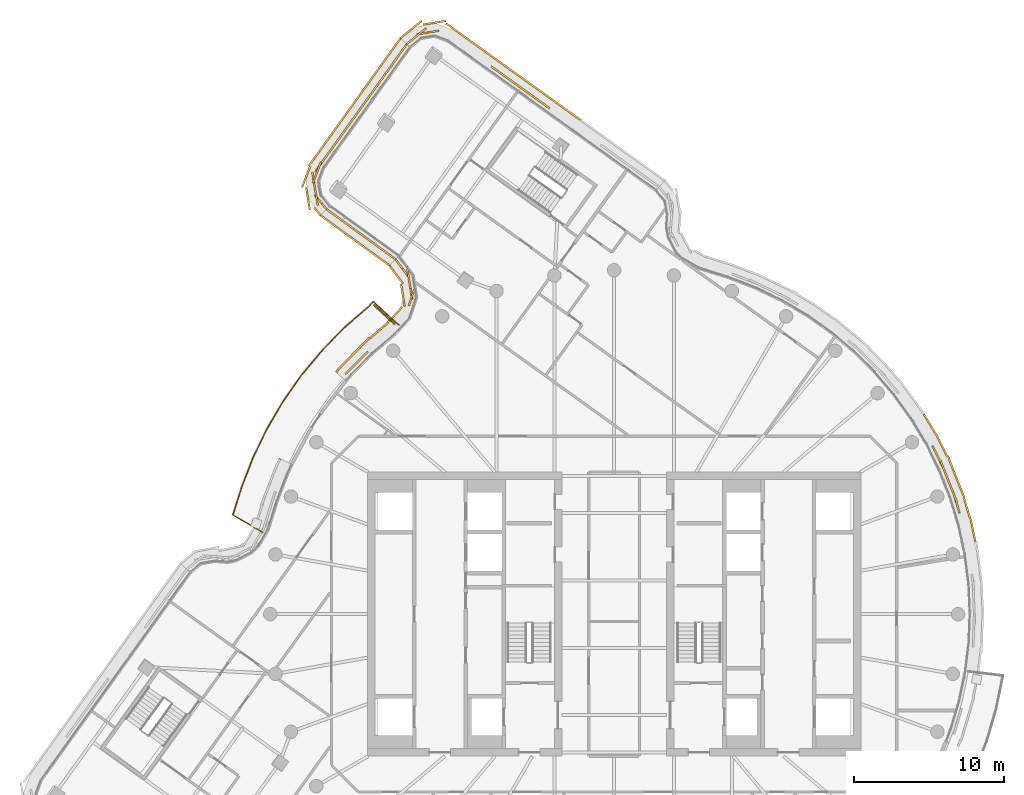
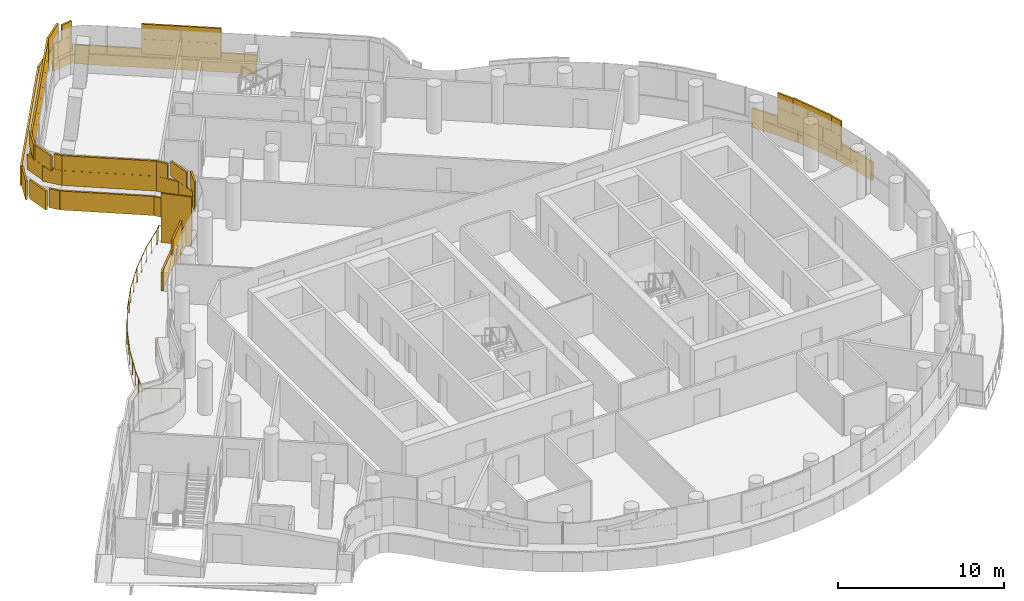
# One storey, part 25 of 27: 5 coverings, 1 railing, 1 shading device.
"""IFC4 building model written with IfcOpenShell, lengths in metres."""

from ifc_helpers import new_model, si_unit, direction, frame, origin, origin_2d, place, context, subcontext, project, spatial, rectangle, circle, extrude, material, layer, layer_set, type_object, element, save


model = new_model("IFC4")

# Units and contexts
model_context = context("Model", 3, precision=1e-05, world=origin(), true_north=direction((0.0, 1.0)))
body_context = subcontext(model_context, "Body", "Model", "MODEL_VIEW")
ifc_project = project(units=[si_unit("LENGTHUNIT", "METRE"), si_unit("AREAUNIT", "SQUARE_METRE"), si_unit("VOLUMEUNIT", "CUBIC_METRE"), si_unit("PLANEANGLEUNIT", "RADIAN"), si_unit("MASSUNIT", "GRAM", prefix="KILO")], contexts=[model_context])

# Site, building, storey
site_placement = place(None, origin())
site = spatial("IfcSite", under=ifc_project, at=site_placement, CompositionType="ELEMENT")
building_placement = place(site_placement, origin())
building = spatial("IfcBuilding", under=site, at=building_placement, Name="Tamarind Cross Interchange Tower", CompositionType="ELEMENT")
storey_placement = place(building_placement, frame((0.0, 0.0, 230.699951171875)))
storey = spatial("IfcBuildingStorey", under=building, at=storey_placement, Name="L58", CompositionType="ELEMENT", Elevation=230.699951171875)

# Railing
ifc_material_1 = material(Name="Stainless steel and laminated glass", Category="steel")
railing_type = type_object("IfcRailingType", Name="Balcony guard", PredefinedType="BALUSTRADE", material=ifc_material_1)
railing_placement = place(storey_placement, frame((-14.4013671875, 19.325927734375, 0.0)))
element("IfcRailing", 1, at=railing_placement, inside=storey, type_object=railing_type, Name="Balcony guard 06", PredefinedType="BALUSTRADE", context=body_context, shape_type="SweptSolid", body=[
    extrude(circle(Radius=0.02490234375, at=origin_2d()), frame((0.0, 0.0, 1.0751953125), z_axis=(-0.734795376104, 0.678288843529, 0.0), x_axis=(-0.678288843529, -0.734795376104, 0.0)), (0.0, 0.0, 1.0), 2.320068359375),
    extrude(circle(Radius=0.02490234375, at=origin_2d()), frame((-1.704833984375, 1.57373046875, 1.0751953125), z_axis=(-0.678301236928, -0.734783935577, 0.0), x_axis=(0.734783935577, -0.678301236928, 0.0)), (0.0, 0.0, 1.0), 0.479736328125),
    extrude(circle(Radius=0.02490234375, at=origin_2d()), frame((-2.0302734375, 1.22119140625, 1.0751953125), z_axis=(-0.760267579696, -0.649610042459, 0.0), x_axis=(0.649610042459, -0.760267579696, 0.0)), (0.0, 0.0, 1.0), 1.94140625),
    extrude(circle(Radius=0.02490234375, at=origin_2d()), frame((-3.50634765625, -0.0400390625, 1.0751953125), z_axis=(-0.704069857635, -0.710130717242, 0.0), x_axis=(0.710130717242, -0.704069857635, 0.0)), (0.0, 0.0, 1.0), 2.17529296875),
    extrude(circle(Radius=0.02490234375, at=origin_2d()), frame((-5.037841796875, -1.584716796875, 1.0751953125), z_axis=(-0.642984125922, -0.765879503455, 0.0), x_axis=(0.765879503455, -0.642984125922, 0.0)), (0.0, 0.0, 1.0), 2.17529296875),
    extrude(circle(Radius=0.02490234375, at=origin_2d()), frame((-6.4365234375, -3.250732421875, 1.0751953125), z_axis=(-0.577590617379, -0.81632657602, 0.0), x_axis=(0.81632657602, -0.577590617379, 0.0)), (0.0, 0.0, 1.0), 2.175048828125),
    extrude(circle(Radius=0.02490234375, at=origin_2d()), frame((-7.69287109375, -5.0263671875, 1.0751953125), z_axis=(-0.508226290333, -0.861223570169, 0.0), x_axis=(0.861223570169, -0.508226290333, 0.0)), (0.0, 0.0, 1.0), 2.175048828125),
    extrude(circle(Radius=0.02490234375, at=origin_2d()), frame((-8.79833984375, -6.899658203125, 1.0751953125), z_axis=(-0.435276325285, -0.90029690694, 0.0), x_axis=(0.90029690694, -0.435276325285, 0.0)), (0.0, 0.0, 1.0), 2.175048828125),
    extrude(circle(Radius=0.02490234375, at=origin_2d()), frame((-9.7451171875, -8.85791015625, 1.0751953125), z_axis=(-0.359533651583, -0.933132120002, 0.0), x_axis=(0.933132120002, -0.359533651583, 0.0)), (0.0, 0.0, 1.0), 2.1533203125),
    extrude(circle(Radius=0.02490234375, at=origin_2d()), frame((-10.519287109375, -10.8671875, 1.0751953125), z_axis=(-0.299373091603, -0.954136128665, 0.0), x_axis=(0.954136128665, -0.299373091603, 0.0)), (0.0, 0.0, 1.0), 1.847900390625),
    extrude(circle(Radius=0.02490234375, at=origin_2d()), frame((-11.072509765625, -12.63037109375, 1.0751953125), z_axis=(-0.50268664587, -0.86446870161, 0.0), x_axis=(0.86446870161, -0.50268664587, 0.0)), (0.0, 0.0, 1.0), 0.064208984375),
    extrude(circle(Radius=0.02490234375, at=origin_2d()), frame((-11.104736328125, -12.685791015625, 1.0751953125), z_axis=(0.863515403785, -0.504322463734, 0.0), x_axis=(0.504322463734, 0.863515403785, 0.0)), (0.0, 0.0, 1.0), 2.31982421875),
    extrude(circle(Radius=0.02001953125, at=origin_2d()), origin(), (0.0, 0.0, 1.0), 1.050048828125),
    extrude(circle(Radius=0.02001953125, at=origin_2d()), frame((-0.8525390625, 0.786865234375, 0.0)), (0.0, 0.0, 1.0), 1.050048828125),
    extrude(circle(Radius=0.02001953125, at=origin_2d()), frame((-1.704833984375, 1.57373046875, 0.0)), (0.0, 0.0, 1.0), 1.050048828125),
    extrude(circle(Radius=0.02001953125, at=origin_2d()), frame((-2.0302734375, 1.22119140625, 0.0)), (0.0, 0.0, 1.0), 1.050048828125),
    extrude(circle(Radius=0.02001953125, at=origin_2d()), frame((-2.768310546875, 0.590576171875, 0.0)), (0.0, 0.0, 1.0), 1.050048828125),
    extrude(circle(Radius=0.02001953125, at=origin_2d()), frame((-3.50634765625, -0.0400390625, 0.0)), (0.0, 0.0, 1.0), 1.050048828125),
    extrude(circle(Radius=0.02001953125, at=origin_2d()), frame((-4.27197265625, -0.8125, 0.0)), (0.0, 0.0, 1.0), 1.050048828125),
    extrude(circle(Radius=0.02001953125, at=origin_2d()), frame((-5.037841796875, -1.584716796875, 0.0)), (0.0, 0.0, 1.0), 1.050048828125),
    extrude(circle(Radius=0.02001953125, at=origin_2d()), frame((-5.7373046875, -2.417724609375, 0.0)), (0.0, 0.0, 1.0), 1.050048828125),
    extrude(circle(Radius=0.02001953125, at=origin_2d()), frame((-6.4365234375, -3.250732421875, 0.0)), (0.0, 0.0, 1.0), 1.050048828125),
    extrude(circle(Radius=0.02001953125, at=origin_2d()), frame((-7.064697265625, -4.138671875, 0.0)), (0.0, 0.0, 1.0), 1.050048828125),
    extrude(circle(Radius=0.02001953125, at=origin_2d()), frame((-7.69287109375, -5.0263671875, 0.0)), (0.0, 0.0, 1.0), 1.050048828125),
    extrude(circle(Radius=0.02001953125, at=origin_2d()), frame((-8.24560546875, -5.962890625, 0.0)), (0.0, 0.0, 1.0), 1.050048828125),
    extrude(circle(Radius=0.02001953125, at=origin_2d()), frame((-8.79833984375, -6.899658203125, 0.0)), (0.0, 0.0, 1.0), 1.050048828125),
    extrude(circle(Radius=0.02001953125, at=origin_2d()), frame((-9.271728515625, -7.87890625, 0.0)), (0.0, 0.0, 1.0), 1.050048828125),
    extrude(circle(Radius=0.02001953125, at=origin_2d()), frame((-9.7451171875, -8.85791015625, 0.0)), (0.0, 0.0, 1.0), 1.050048828125),
    extrude(circle(Radius=0.02001953125, at=origin_2d()), frame((-10.13232421875, -9.862548828125, 0.0)), (0.0, 0.0, 1.0), 1.050048828125),
    extrude(circle(Radius=0.02001953125, at=origin_2d()), frame((-10.519287109375, -10.8671875, 0.0)), (0.0, 0.0, 1.0), 1.050048828125),
    extrude(circle(Radius=0.02001953125, at=origin_2d()), frame((-10.7958984375, -11.748779296875, 0.0)), (0.0, 0.0, 1.0), 1.050048828125),
    extrude(circle(Radius=0.02001953125, at=origin_2d()), frame((-11.072509765625, -12.63037109375, 0.0)), (0.0, 0.0, 1.0), 1.050048828125),
    extrude(circle(Radius=0.02001953125, at=origin_2d()), frame((-11.104736328125, -12.685791015625, 0.0)), (0.0, 0.0, 1.0), 1.050048828125),
    extrude(circle(Radius=0.02001953125, at=origin_2d()), frame((-10.10302734375, -13.270751953125, 0.0)), (0.0, 0.0, 1.0), 1.050048828125),
    extrude(circle(Radius=0.02001953125, at=origin_2d()), frame((-9.1015625, -13.855712890625, 0.0)), (0.0, 0.0, 1.0), 1.050048828125),
])

# Shading device
ifc_material_2 = material(Name="Bronze-finish aluminium louvre", Category="aluminium")
ifc_layer_1 = layer(ifc_material_2, 0.080078125)
ifc_layer_set_1 = layer_set([ifc_layer_1], Name="Bronze-finish aluminium louvre")
shading_device_type = type_object("IfcShadingDeviceType", Name="Operable louvre bay", PredefinedType="JALOUSIE", material=ifc_layer_set_1)
shading_device_placement = place(storey_placement, origin())
element("IfcShadingDevice", 2, at=shading_device_placement, inside=storey, type_object=shading_device_type, Name="LVR-L58-BAL06", PredefinedType="JALOUSIE", context=body_context, shape_type="SweptSolid", body=[
    extrude(rectangle(XDim=1.89990234375, YDim=0.080078125, at=origin_2d()), frame((-15.378173828125, 20.037109375, 0.0), z_axis=(0.0, 0.0, 1.0), x_axis=(-0.734844878206, 0.678235213605, 0.0)), (0.0, 0.0, 1.0), 3.60009765625),
])

# Coverings
ifc_material_3 = material(Name="Terracotta", Category="masonry")
ifc_layer_2 = layer(ifc_material_3, 0.1201171875)
ifc_layer_set_2 = layer_set([ifc_layer_2], Name="Terracotta")
covering_type = type_object("IfcCoveringType", Name="Terracotta baguette screen unit", PredefinedType="MOLDING", material=ifc_layer_set_2)
covering_1_placement = place(storey_placement, origin())
element("IfcCovering", 3, at=covering_1_placement, inside=storey, type_object=covering_type, Name="SCR-L58-02-07", PredefinedType="MOLDING", context=body_context, shape_type="SweptSolid", body=[
    extrude(rectangle(XDim=1.506591796875, YDim=0.1201171875, at=origin_2d()), frame((22.87939453125, 7.4814453125, 1.40380859375), z_axis=(0.0, 0.0, 1.0), x_axis=(-0.289458243079, 0.957190642199, 0.0)), (0.0, 0.0, 1.0), 1.092041015625),
    extrude(rectangle(XDim=1.52001953125, YDim=0.1201171875, at=origin_2d()), frame((22.3642578125, 8.887451171875, 1.40380859375), z_axis=(0.0, 0.0, 1.0), x_axis=(-0.367513773146, 0.930018078613, 0.0)), (0.0, 0.0, 1.0), 1.092041015625),
    extrude(rectangle(XDim=1.52001953125, YDim=0.1201171875, at=origin_2d()), frame((21.771484375, 10.263916015625, 1.40380859375), z_axis=(0.0, 0.0, 1.0), x_axis=(-0.443058811505, 0.896492548518, 0.0)), (0.0, 0.0, 1.0), 1.092041015625),
    extrude(rectangle(XDim=0.356689453125, YDim=0.1201171875, at=origin_2d()), frame((21.3623046875, 11.091796875, 1.40380859375), z_axis=(0.0, 0.0, 1.0), x_axis=(-0.443058811505, 0.896492548518, 0.0)), (0.0, 0.0, 1.0), 1.092041015625),
    extrude(rectangle(XDim=0.756591796875, YDim=0.1201171875, at=origin_2d()), frame((22.98779296875, 7.12255859375, 2.50390625), z_axis=(0.0, 0.0, 1.0), x_axis=(-0.289458243079, 0.957190642199, 0.0)), (0.0, 0.0, 1.0), 1.092041015625),
    extrude(rectangle(XDim=1.52001953125, YDim=0.1201171875, at=origin_2d()), frame((22.639892578125, 8.18994140625, 2.50390625), z_axis=(0.0, 0.0, 1.0), x_axis=(-0.367513773146, 0.930018078613, 0.0)), (0.0, 0.0, 1.0), 1.092041015625),
    extrude(rectangle(XDim=1.52001953125, YDim=0.1201171875, at=origin_2d()), frame((22.088623046875, 9.5849609375, 2.50390625), z_axis=(0.0, 0.0, 1.0), x_axis=(-0.367513773146, 0.930018078613, 0.0)), (0.0, 0.0, 1.0), 1.092041015625),
    extrude(rectangle(XDim=1.106689453125, YDim=0.1201171875, at=origin_2d()), frame((21.528564453125, 10.755615234375, 2.50390625), z_axis=(0.0, 0.0, 1.0), x_axis=(-0.443058811505, 0.896492548518, 0.0)), (0.0, 0.0, 1.0), 1.092041015625),
    extrude(rectangle(XDim=0.059814453125, YDim=0.1201171875, at=origin_2d()), frame((24.1552734375, 4.8701171875, 0.00390625), z_axis=(0.0, 0.0, 1.0), x_axis=(-0.209425419705, 0.977824623121, 0.0)), (0.0, 0.0, 1.0), 1.39208984375),
    extrude(rectangle(XDim=1.52001953125, YDim=0.1201171875, at=origin_2d()), frame((23.993896484375, 5.622802734375, 0.00390625), z_axis=(0.0, 0.0, 1.0), x_axis=(-0.209425419705, 0.977824623121, 0.0)), (0.0, 0.0, 1.0), 1.39208984375),
    extrude(rectangle(XDim=1.52001953125, YDim=0.1201171875, at=origin_2d()), frame((23.603515625, 7.070068359375, 0.00390625), z_axis=(0.0, 0.0, 1.0), x_axis=(-0.289458243079, 0.957190642199, 0.0)), (0.0, 0.0, 1.0), 1.39208984375),
    extrude(rectangle(XDim=1.52001953125, YDim=0.1201171875, at=origin_2d()), frame((23.13671875, 8.494384765625, 0.00390625), z_axis=(0.0, 0.0, 1.0), x_axis=(-0.367513773146, 0.930018078613, 0.0)), (0.0, 0.0, 1.0), 1.39208984375),
    extrude(rectangle(XDim=1.52001953125, YDim=0.1201171875, at=origin_2d()), frame((22.58544921875, 9.889404296875, 0.00390625), z_axis=(0.0, 0.0, 1.0), x_axis=(-0.367513773146, 0.930018078613, 0.0)), (0.0, 0.0, 1.0), 1.39208984375),
    extrude(rectangle(XDim=1.52001953125, YDim=0.1201171875, at=origin_2d()), frame((21.93017578125, 11.23828125, 0.00390625), z_axis=(0.0, 0.0, 1.0), x_axis=(-0.443058811505, 0.896492548518, 0.0)), (0.0, 0.0, 1.0), 1.39208984375),
    extrude(rectangle(XDim=1.52001953125, YDim=0.1201171875, at=origin_2d()), frame((21.20458984375, 12.5498046875, 0.00390625), z_axis=(0.0, 0.0, 1.0), x_axis=(-0.515577308909, 0.856843065292, 0.0)), (0.0, 0.0, 1.0), 1.39208984375),
    extrude(rectangle(XDim=0.21923828125, YDim=0.1201171875, at=origin_2d()), frame((20.7666015625, 13.27783203125, 0.00390625), z_axis=(0.0, 0.0, 1.0), x_axis=(-0.515577308909, 0.856843065292, 0.0)), (0.0, 0.0, 1.0), 1.39208984375),
])
covering_2_placement = place(storey_placement, origin())
element("IfcCovering", 4, at=covering_2_placement, inside=storey, type_object=covering_type, Name="SCR-L58-03-01", PredefinedType="MOLDING", context=body_context, shape_type="SweptSolid", body=[
    extrude(rectangle(XDim=1.52001953125, YDim=0.1201171875, at=origin_2d()), frame((-4.9248046875, 34.262451171875, 1.40380859375), z_axis=(0.0, 0.0, 1.0), x_axis=(-0.812384886086, 0.583121596975, 0.0)), (0.0, 0.0, 1.0), 1.092041015625),
    extrude(rectangle(XDim=1.52001953125, YDim=0.1201171875, at=origin_2d()), frame((-6.1435546875, 35.13720703125, 1.40380859375), z_axis=(0.0, 0.0, 1.0), x_axis=(-0.812384886086, 0.583121596975, 0.0)), (0.0, 0.0, 1.0), 1.092041015625),
    extrude(rectangle(XDim=1.52001953125, YDim=0.1201171875, at=origin_2d()), frame((-7.362060546875, 36.01171875, 1.40380859375), z_axis=(0.0, 0.0, 1.0), x_axis=(-0.812384886086, 0.583121596975, 0.0)), (0.0, 0.0, 1.0), 1.092041015625),
    extrude(rectangle(XDim=0.31884765625, YDim=0.1201171875, at=origin_2d()), frame((-8.0966796875, 36.5390625, 1.40380859375), z_axis=(0.0, 0.0, 1.0), x_axis=(-0.812384886086, 0.583121596975, 0.0)), (0.0, 0.0, 1.0), 1.092041015625),
    extrude(rectangle(XDim=1.501220703125, YDim=0.1201171875, at=origin_2d()), frame((-12.458251953125, 38.8974609375, 1.40380859375), z_axis=(0.0, 0.0, 1.0), x_axis=(-0.986772097362, -0.162113626407, 0.0)), (0.0, 0.0, 1.0), 1.092041015625),
    extrude(rectangle(XDim=0.923828125, YDim=0.1201171875, at=origin_2d()), frame((-13.513916015625, 38.412841796875, 1.40380859375), z_axis=(0.0, 0.0, 1.0), x_axis=(-0.773512890858, -0.63378056745, 0.0)), (0.0, 0.0, 1.0), 1.092041015625),
    extrude(rectangle(XDim=0.763671875, YDim=0.1201171875, at=origin_2d()), frame((-4.61865234375, 34.042724609375, 2.50390625), z_axis=(0.0, 0.0, 1.0), x_axis=(-0.812384886086, 0.583121596975, 0.0)), (0.0, 0.0, 1.0), 1.092041015625),
    extrude(rectangle(XDim=1.52001953125, YDim=0.1201171875, at=origin_2d()), frame((-5.5341796875, 34.69970703125, 2.50390625), z_axis=(0.0, 0.0, 1.0), x_axis=(-0.812384886086, 0.583121596975, 0.0)), (0.0, 0.0, 1.0), 1.092041015625),
    extrude(rectangle(XDim=1.52001953125, YDim=0.1201171875, at=origin_2d()), frame((-6.752685546875, 35.574462890625, 2.50390625), z_axis=(0.0, 0.0, 1.0), x_axis=(-0.812384886086, 0.583121596975, 0.0)), (0.0, 0.0, 1.0), 1.092041015625),
    extrude(rectangle(XDim=1.06884765625, YDim=0.1201171875, at=origin_2d()), frame((-7.7919921875, 36.320556640625, 2.50390625), z_axis=(0.0, 0.0, 1.0), x_axis=(-0.812384886086, 0.583121596975, 0.0)), (0.0, 0.0, 1.0), 1.092041015625),
    extrude(rectangle(XDim=0.751220703125, YDim=0.1201171875, at=origin_2d()), frame((-12.08837890625, 38.958251953125, 2.50390625), z_axis=(0.0, 0.0, 1.0), x_axis=(-0.986772097362, -0.162113626407, 0.0)), (0.0, 0.0, 1.0), 1.092041015625),
    extrude(rectangle(XDim=1.52001953125, YDim=0.1201171875, at=origin_2d()), frame((-13.160400390625, 38.702392578125, 2.50390625), z_axis=(0.0, 0.0, 1.0), x_axis=(-0.773512890858, -0.63378056745, 0.0)), (0.0, 0.0, 1.0), 1.092041015625),
    extrude(rectangle(XDim=0.173828125, YDim=0.1201171875, at=origin_2d()), frame((-13.803955078125, 38.175048828125, 2.50390625), z_axis=(0.0, 0.0, 1.0), x_axis=(-0.773512890858, -0.63378056745, 0.0)), (0.0, 0.0, 1.0), 1.092041015625),
    extrude(rectangle(XDim=0.553466796875, YDim=0.1201171875, at=origin_2d()), frame((-2.4853515625, 33.2177734375, 0.00390625), z_axis=(0.0, 0.0, 1.0), x_axis=(-0.812384886086, 0.583121596975, 0.0)), (0.0, 0.0, 1.0), 1.39208984375),
    extrude(rectangle(XDim=1.52001953125, YDim=0.1201171875, at=origin_2d()), frame((-3.311279296875, 33.810791015625, 0.00390625), z_axis=(0.0, 0.0, 1.0), x_axis=(-0.812384886086, 0.583121596975, 0.0)), (0.0, 0.0, 1.0), 1.39208984375),
    extrude(rectangle(XDim=1.52001953125, YDim=0.1201171875, at=origin_2d()), frame((-4.530029296875, 34.685546875, 0.00390625), z_axis=(0.0, 0.0, 1.0), x_axis=(-0.812384886086, 0.583121596975, 0.0)), (0.0, 0.0, 1.0), 1.39208984375),
    extrude(rectangle(XDim=1.52001953125, YDim=0.1201171875, at=origin_2d()), frame((-5.74853515625, 35.56005859375, 0.00390625), z_axis=(0.0, 0.0, 1.0), x_axis=(-0.812384886086, 0.583121596975, 0.0)), (0.0, 0.0, 1.0), 1.39208984375),
    extrude(rectangle(XDim=1.52001953125, YDim=0.1201171875, at=origin_2d()), frame((-6.967041015625, 36.434814453125, 0.00390625), z_axis=(0.0, 0.0, 1.0), x_axis=(-0.812384886086, 0.583121596975, 0.0)), (0.0, 0.0, 1.0), 1.39208984375),
    extrude(rectangle(XDim=1.52001953125, YDim=0.1201171875, at=origin_2d()), frame((-8.185546875, 37.3095703125, 0.00390625), z_axis=(0.0, 0.0, 1.0), x_axis=(-0.812384886086, 0.583121596975, 0.0)), (0.0, 0.0, 1.0), 1.39208984375),
    extrude(rectangle(XDim=1.52001953125, YDim=0.1201171875, at=origin_2d()), frame((-9.404296875, 38.184326171875, 0.00390625), z_axis=(0.0, 0.0, 1.0), x_axis=(-0.812384886086, 0.583121596975, 0.0)), (0.0, 0.0, 1.0), 1.39208984375),
    extrude(rectangle(XDim=1.52001953125, YDim=0.1201171875, at=origin_2d()), frame((-10.622802734375, 39.058837890625, 0.00390625), z_axis=(0.0, 0.0, 1.0), x_axis=(-0.812384886086, 0.583121596975, 0.0)), (0.0, 0.0, 1.0), 1.39208984375),
    extrude(rectangle(XDim=1.52001953125, YDim=0.1201171875, at=origin_2d()), frame((-12.021240234375, 39.551025390625, 0.00390625), z_axis=(0.0, 0.0, 1.0), x_axis=(-0.986772097362, -0.162113626407, 0.0)), (0.0, 0.0, 1.0), 1.39208984375),
    extrude(rectangle(XDim=1.52001953125, YDim=0.1201171875, at=origin_2d()), frame((-13.454345703125, 39.203857421875, 0.00390625), z_axis=(0.0, 0.0, 1.0), x_axis=(-0.773512890858, -0.63378056745, 0.0)), (0.0, 0.0, 1.0), 1.39208984375),
    extrude(rectangle(XDim=0.340087890625, YDim=0.1201171875, at=origin_2d()), frame((-14.158203125, 38.626953125, 0.00390625), z_axis=(0.0, 0.0, 1.0), x_axis=(-0.773512890858, -0.63378056745, 0.0)), (0.0, 0.0, 1.0), 1.39208984375),
])
covering_3_placement = place(storey_placement, origin())
element("IfcCovering", 5, at=covering_3_placement, inside=storey, type_object=covering_type, Name="SCR-L58-04-00", PredefinedType="MOLDING", context=body_context, shape_type="SweptSolid", body=[
    extrude(rectangle(XDim=1.510009765625, YDim=0.1201171875, at=origin_2d()), frame((-14.3046875, 37.513916015625, 1.40380859375), z_axis=(0.0, 0.0, 1.0), x_axis=(-0.583121596975, -0.812384886086, 0.0)), (0.0, 0.0, 1.0), 1.092041015625),
    extrude(rectangle(XDim=1.52001953125, YDim=0.1201171875, at=origin_2d()), frame((-15.179443359375, 36.29541015625, 1.40380859375), z_axis=(0.0, 0.0, 1.0), x_axis=(-0.583121596975, -0.812384886086, 0.0)), (0.0, 0.0, 1.0), 1.092041015625),
    extrude(rectangle(XDim=1.52001953125, YDim=0.1201171875, at=origin_2d()), frame((-16.05419921875, 35.07666015625, 1.40380859375), z_axis=(0.0, 0.0, 1.0), x_axis=(-0.583121596975, -0.812384886086, 0.0)), (0.0, 0.0, 1.0), 1.092041015625),
    extrude(rectangle(XDim=1.52001953125, YDim=0.1201171875, at=origin_2d()), frame((-16.9287109375, 33.858154296875, 1.40380859375), z_axis=(0.0, 0.0, 1.0), x_axis=(-0.583121596975, -0.812384886086, 0.0)), (0.0, 0.0, 1.0), 1.092041015625),
    extrude(rectangle(XDim=1.52001953125, YDim=0.1201171875, at=origin_2d()), frame((-17.803466796875, 32.6396484375, 1.40380859375), z_axis=(0.0, 0.0, 1.0), x_axis=(-0.583121596975, -0.812384886086, 0.0)), (0.0, 0.0, 1.0), 1.092041015625),
    extrude(rectangle(XDim=1.52001953125, YDim=0.1201171875, at=origin_2d()), frame((-18.67822265625, 31.4208984375, 1.40380859375), z_axis=(0.0, 0.0, 1.0), x_axis=(-0.583121596975, -0.812384886086, 0.0)), (0.0, 0.0, 1.0), 1.092041015625),
    extrude(rectangle(XDim=1.52001953125, YDim=0.1201171875, at=origin_2d()), frame((-19.552734375, 30.202392578125, 1.40380859375), z_axis=(0.0, 0.0, 1.0), x_axis=(-0.583121596975, -0.812384886086, 0.0)), (0.0, 0.0, 1.0), 1.092041015625),
    extrude(rectangle(XDim=1.52001953125, YDim=0.1201171875, at=origin_2d()), frame((-20.0654296875, 28.82470703125, 1.40380859375), z_axis=(0.0, 0.0, 1.0), x_axis=(0.162113626407, -0.986772097362, 0.0)), (0.0, 0.0, 1.0), 1.092041015625),
    extrude(rectangle(XDim=1.259521484375, YDim=0.1201171875, at=origin_2d()), frame((-19.632080078125, 27.5634765625, 1.40380859375), z_axis=(0.0, 0.0, 1.0), x_axis=(0.63378056745, -0.773512890858, 0.0)), (0.0, 0.0, 1.0), 1.092041015625),
    extrude(rectangle(XDim=0.760009765625, YDim=0.1201171875, at=origin_2d()), frame((-14.086181640625, 37.818603515625, 2.50390625), z_axis=(0.0, 0.0, 1.0), x_axis=(-0.583121596975, -0.812384886086, 0.0)), (0.0, 0.0, 1.0), 1.092041015625),
    extrude(rectangle(XDim=1.52001953125, YDim=0.1201171875, at=origin_2d()), frame((-14.7421875, 36.904541015625, 2.50390625), z_axis=(0.0, 0.0, 1.0), x_axis=(-0.583121596975, -0.812384886086, 0.0)), (0.0, 0.0, 1.0), 1.092041015625),
    extrude(rectangle(XDim=1.52001953125, YDim=0.1201171875, at=origin_2d()), frame((-15.61669921875, 35.68603515625, 2.50390625), z_axis=(0.0, 0.0, 1.0), x_axis=(-0.583121596975, -0.812384886086, 0.0)), (0.0, 0.0, 1.0), 1.092041015625),
    extrude(rectangle(XDim=1.52001953125, YDim=0.1201171875, at=origin_2d()), frame((-16.491455078125, 34.467529296875, 2.50390625), z_axis=(0.0, 0.0, 1.0), x_axis=(-0.583121596975, -0.812384886086, 0.0)), (0.0, 0.0, 1.0), 1.092041015625),
    extrude(rectangle(XDim=1.52001953125, YDim=0.1201171875, at=origin_2d()), frame((-17.3662109375, 33.248779296875, 2.50390625), z_axis=(0.0, 0.0, 1.0), x_axis=(-0.583121596975, -0.812384886086, 0.0)), (0.0, 0.0, 1.0), 1.092041015625),
    extrude(rectangle(XDim=1.52001953125, YDim=0.1201171875, at=origin_2d()), frame((-18.24072265625, 32.0302734375, 2.50390625), z_axis=(0.0, 0.0, 1.0), x_axis=(-0.583121596975, -0.812384886086, 0.0)), (0.0, 0.0, 1.0), 1.092041015625),
    extrude(rectangle(XDim=1.52001953125, YDim=0.1201171875, at=origin_2d()), frame((-19.115478515625, 30.811767578125, 2.50390625), z_axis=(0.0, 0.0, 1.0), x_axis=(-0.583121596975, -0.812384886086, 0.0)), (0.0, 0.0, 1.0), 1.092041015625),
    extrude(rectangle(XDim=1.52001953125, YDim=0.1201171875, at=origin_2d()), frame((-19.880615234375, 29.534423828125, 2.50390625), z_axis=(0.0, 0.0, 1.0), x_axis=(-0.352991529913, -0.935626517265, 0.0)), (0.0, 0.0, 1.0), 1.092041015625),
    extrude(rectangle(XDim=1.52001953125, YDim=0.1201171875, at=origin_2d()), frame((-19.94384765625, 28.084716796875, 2.50390625), z_axis=(0.0, 0.0, 1.0), x_axis=(0.162113626407, -0.986772097362, 0.0)), (0.0, 0.0, 1.0), 1.092041015625),
    extrude(rectangle(XDim=0.509521484375, YDim=0.1201171875, at=origin_2d()), frame((-19.394287109375, 27.2734375, 2.50390625), z_axis=(0.0, 0.0, 1.0), x_axis=(0.63378056745, -0.773512890858, 0.0)), (0.0, 0.0, 1.0), 1.092041015625),
    extrude(rectangle(XDim=1.510009765625, YDim=0.1201171875, at=origin_2d()), frame((-14.72998046875, 37.906005859375, 0.00390625), z_axis=(0.0, 0.0, 1.0), x_axis=(-0.583121596975, -0.812384886086, 0.0)), (0.0, 0.0, 1.0), 1.39208984375),
    extrude(rectangle(XDim=1.52001953125, YDim=0.1201171875, at=origin_2d()), frame((-15.6015625, 36.69140625, 0.00390625), z_axis=(0.0, 0.0, 1.0), x_axis=(-0.583121596975, -0.812384886086, 0.0)), (0.0, 0.0, 1.0), 1.39208984375),
    extrude(rectangle(XDim=1.52001953125, YDim=0.1201171875, at=origin_2d()), frame((-16.476318359375, 35.472900390625, 0.00390625), z_axis=(0.0, 0.0, 1.0), x_axis=(-0.583121596975, -0.812384886086, 0.0)), (0.0, 0.0, 1.0), 1.39208984375),
    extrude(rectangle(XDim=1.52001953125, YDim=0.1201171875, at=origin_2d()), frame((-17.35107421875, 34.254150390625, 0.00390625), z_axis=(0.0, 0.0, 1.0), x_axis=(-0.583121596975, -0.812384886086, 0.0)), (0.0, 0.0, 1.0), 1.39208984375),
    extrude(rectangle(XDim=1.52001953125, YDim=0.1201171875, at=origin_2d()), frame((-18.225830078125, 33.03564453125, 0.00390625), z_axis=(0.0, 0.0, 1.0), x_axis=(-0.583121596975, -0.812384886086, 0.0)), (0.0, 0.0, 1.0), 1.39208984375),
    extrude(rectangle(XDim=1.52001953125, YDim=0.1201171875, at=origin_2d()), frame((-19.100341796875, 31.817138671875, 0.00390625), z_axis=(0.0, 0.0, 1.0), x_axis=(-0.583121596975, -0.812384886086, 0.0)), (0.0, 0.0, 1.0), 1.39208984375),
    extrude(rectangle(XDim=1.52001953125, YDim=0.1201171875, at=origin_2d()), frame((-19.97509765625, 30.5986328125, 0.00390625), z_axis=(0.0, 0.0, 1.0), x_axis=(-0.583121596975, -0.812384886086, 0.0)), (0.0, 0.0, 1.0), 1.39208984375),
    extrude(rectangle(XDim=1.52001953125, YDim=0.1201171875, at=origin_2d()), frame((-20.602294921875, 29.24755859375, 0.00390625), z_axis=(0.0, 0.0, 1.0), x_axis=(-0.352991529913, -0.935626517265, 0.0)), (0.0, 0.0, 1.0), 1.39208984375),
    extrude(rectangle(XDim=1.52001953125, YDim=0.1201171875, at=origin_2d()), frame((-20.475341796875, 27.77880859375, 0.00390625), z_axis=(0.0, 0.0, 1.0), x_axis=(0.162113626407, -0.986772097362, 0.0)), (0.0, 0.0, 1.0), 1.39208984375),
    extrude(rectangle(XDim=0.675537109375, YDim=0.1201171875, at=origin_2d()), frame((-19.84716796875, 26.92041015625, 0.00390625), z_axis=(0.0, 0.0, 1.0), x_axis=(0.63378056745, -0.773512890858, 0.0)), (0.0, 0.0, 1.0), 1.39208984375),
])
covering_4_placement = place(storey_placement, origin())
element("IfcCovering", 6, at=covering_4_placement, inside=storey, type_object=covering_type, Name="SCR-L58-05-00", PredefinedType="MOLDING", context=body_context, shape_type="SweptSolid", body=[
    extrude(rectangle(XDim=1.510009765625, YDim=0.1201171875, at=origin_2d()), frame((-18.62890625, 26.639892578125, 1.40380859375), z_axis=(0.0, 0.0, 1.0), x_axis=(0.809517460319, -0.587095802606, 0.0)), (0.0, 0.0, 1.0), 1.092041015625),
    extrude(rectangle(XDim=1.52001953125, YDim=0.1201171875, at=origin_2d()), frame((-17.414794921875, 25.75927734375, 1.40380859375), z_axis=(0.0, 0.0, 1.0), x_axis=(0.809517460319, -0.587095802606, 0.0)), (0.0, 0.0, 1.0), 1.092041015625),
    extrude(rectangle(XDim=1.52001953125, YDim=0.1201171875, at=origin_2d()), frame((-16.200439453125, 24.878662109375, 1.40380859375), z_axis=(0.0, 0.0, 1.0), x_axis=(0.809517460319, -0.587095802606, 0.0)), (0.0, 0.0, 1.0), 1.092041015625),
    extrude(rectangle(XDim=1.20947265625, YDim=0.1201171875, at=origin_2d()), frame((-15.10791015625, 24.086181640625, 1.40380859375), z_axis=(0.0, 0.0, 1.0), x_axis=(0.809517460319, -0.587095802606, 0.0)), (0.0, 0.0, 1.0), 1.092041015625),
    extrude(rectangle(XDim=0.760009765625, YDim=0.1201171875, at=origin_2d()), frame((-18.9326171875, 26.860107421875, 2.50390625), z_axis=(0.0, 0.0, 1.0), x_axis=(0.809517460319, -0.587095802606, 0.0)), (0.0, 0.0, 1.0), 1.092041015625),
    extrude(rectangle(XDim=1.52001953125, YDim=0.1201171875, at=origin_2d()), frame((-18.02197265625, 26.199462890625, 2.50390625), z_axis=(0.0, 0.0, 1.0), x_axis=(0.809517460319, -0.587095802606, 0.0)), (0.0, 0.0, 1.0), 1.092041015625),
    extrude(rectangle(XDim=1.52001953125, YDim=0.1201171875, at=origin_2d()), frame((-16.8076171875, 25.31884765625, 2.50390625), z_axis=(0.0, 0.0, 1.0), x_axis=(0.809517460319, -0.587095802606, 0.0)), (0.0, 0.0, 1.0), 1.092041015625),
    extrude(rectangle(XDim=1.52001953125, YDim=0.1201171875, at=origin_2d()), frame((-15.59326171875, 24.438232421875, 2.50390625), z_axis=(0.0, 0.0, 1.0), x_axis=(0.809517460319, -0.587095802606, 0.0)), (0.0, 0.0, 1.0), 1.092041015625),
    extrude(rectangle(XDim=0.45947265625, YDim=0.1201171875, at=origin_2d()), frame((-14.80419921875, 23.865966796875, 2.50390625), z_axis=(0.0, 0.0, 1.0), x_axis=(0.809517460319, -0.587095802606, 0.0)), (0.0, 0.0, 1.0), 1.092041015625),
    extrude(rectangle(XDim=1.510009765625, YDim=0.1201171875, at=origin_2d()), frame((-19.02197265625, 26.2158203125, 0.00390625), z_axis=(0.0, 0.0, 1.0), x_axis=(0.809517460319, -0.587095802606, 0.0)), (0.0, 0.0, 1.0), 1.39208984375),
    extrude(rectangle(XDim=1.52001953125, YDim=0.1201171875, at=origin_2d()), frame((-17.811767578125, 25.338134765625, 0.00390625), z_axis=(0.0, 0.0, 1.0), x_axis=(0.809517460319, -0.587095802606, 0.0)), (0.0, 0.0, 1.0), 1.39208984375),
    extrude(rectangle(XDim=1.52001953125, YDim=0.1201171875, at=origin_2d()), frame((-16.597412109375, 24.45751953125, 0.00390625), z_axis=(0.0, 0.0, 1.0), x_axis=(0.809517460319, -0.587095802606, 0.0)), (0.0, 0.0, 1.0), 1.39208984375),
    extrude(rectangle(XDim=1.1953125, YDim=0.1201171875, at=origin_2d()), frame((-15.5146484375, 23.672119140625, 0.00390625), z_axis=(0.0, 0.0, 1.0), x_axis=(0.809517460319, -0.587095802606, 0.0)), (0.0, 0.0, 1.0), 1.39208984375),
])
covering_5_placement = place(storey_placement, origin())
element("IfcCovering", 7, at=covering_5_placement, inside=storey, type_object=covering_type, Name="SCR-L58-06-00", PredefinedType="MOLDING", context=body_context, shape_type="SweptSolid", body=[
    extrude(rectangle(XDim=1.510009765625, YDim=0.1201171875, at=origin_2d()), frame((-14.17529296875, 23.1318359375, 1.40380859375), z_axis=(0.0, 0.0, 1.0), x_axis=(0.595998729444, -0.802985376269, 0.0)), (0.0, 0.0, 1.0), 1.092041015625),
    extrude(rectangle(XDim=1.52001953125, YDim=0.1201171875, at=origin_2d()), frame((-13.622802734375, 21.78369140625, 1.40380859375), z_axis=(0.0, 0.0, 1.0), x_axis=(0.156885495336, -0.987616798841, 0.0)), (0.0, 0.0, 1.0), 1.092041015625),
    extrude(rectangle(XDim=0.447265625, YDim=0.1201171875, at=origin_2d()), frame((-13.6591796875, 20.84228515625, 1.40380859375), z_axis=(0.0, 0.0, 1.0), x_axis=(-0.311914678379, -0.950110116466, 0.0)), (0.0, 0.0, 1.0), 1.092041015625),
    extrude(rectangle(XDim=1.372802734375, YDim=0.1201171875, at=origin_2d()), frame((-16.954833984375, 17.07958984375, 1.40380859375), z_axis=(0.0, 0.0, 1.0), x_axis=(-0.704057148523, -0.710143317658, 0.0)), (0.0, 0.0, 1.0), 1.092041015625),
    extrude(rectangle(XDim=0.760009765625, YDim=0.1201171875, at=origin_2d()), frame((-14.39892578125, 23.432861328125, 2.50390625), z_axis=(0.0, 0.0, 1.0), x_axis=(0.595998729444, -0.802985376269, 0.0)), (0.0, 0.0, 1.0), 1.092041015625),
    extrude(rectangle(XDim=1.52001953125, YDim=0.1201171875, at=origin_2d()), frame((-13.740478515625, 22.5244140625, 2.50390625), z_axis=(0.0, 0.0, 1.0), x_axis=(0.156885495336, -0.987616798841, 0.0)), (0.0, 0.0, 1.0), 1.092041015625),
    extrude(rectangle(XDim=1.197265625, YDim=0.1201171875, at=origin_2d()), frame((-13.542236328125, 21.198486328125, 2.50390625), z_axis=(0.0, 0.0, 1.0), x_axis=(-0.311914678379, -0.950110116466, 0.0)), (0.0, 0.0, 1.0), 1.092041015625),
    extrude(rectangle(XDim=0.622802734375, YDim=0.1201171875, at=origin_2d()), frame((-16.69091796875, 17.345947265625, 2.50390625), z_axis=(0.0, 0.0, 1.0), x_axis=(-0.704057148523, -0.710143317658, 0.0)), (0.0, 0.0, 1.0), 1.092041015625),
    extrude(rectangle(XDim=1.52001953125, YDim=0.1201171875, at=origin_2d()), frame((-17.4345703125, 16.595703125, 2.50390625), z_axis=(0.0, 0.0, 1.0), x_axis=(-0.704057148523, -0.710143317658, 0.0)), (0.0, 0.0, 1.0), 1.092041015625),
    extrude(rectangle(XDim=1.510009765625, YDim=0.1201171875, at=origin_2d()), frame((-14.580810546875, 22.71484375, 0.00390625), z_axis=(0.0, 0.0, 1.0), x_axis=(0.595998729444, -0.802985376269, 0.0)), (0.0, 0.0, 1.0), 1.39208984375),
    extrude(rectangle(XDim=1.52001953125, YDim=0.1201171875, at=origin_2d()), frame((-14.1318359375, 21.32861328125, 0.00390625), z_axis=(0.0, 0.0, 1.0), x_axis=(0.156885495336, -0.987616798841, 0.0)), (0.0, 0.0, 1.0), 1.39208984375),
    extrude(rectangle(XDim=1.52001953125, YDim=0.1201171875, at=origin_2d()), frame((-14.703125, 19.978271484375, 0.00390625), z_axis=(0.0, 0.0, 1.0), x_axis=(-0.678235213605, -0.734844878206, 0.0)), (0.0, 0.0, 1.0), 1.39208984375),
    extrude(rectangle(XDim=1.52001953125, YDim=0.1201171875, at=origin_2d()), frame((-15.773681640625, 18.93115234375, 0.00390625), z_axis=(0.0, 0.0, 1.0), x_axis=(-0.760295606781, -0.64957723968, 0.0)), (0.0, 0.0, 1.0), 1.39208984375),
    extrude(rectangle(XDim=1.52001953125, YDim=0.1201171875, at=origin_2d()), frame((-16.904052734375, 17.946044921875, 0.00390625), z_axis=(0.0, 0.0, 1.0), x_axis=(-0.704057148523, -0.710143317658, 0.0)), (0.0, 0.0, 1.0), 1.39208984375),
    extrude(rectangle(XDim=1.52001953125, YDim=0.1201171875, at=origin_2d()), frame((-17.960205078125, 16.880859375, 0.00390625), z_axis=(0.0, 0.0, 1.0), x_axis=(-0.704057148523, -0.710143317658, 0.0)), (0.0, 0.0, 1.0), 1.39208984375),
    extrude(rectangle(XDim=0.20947265625, YDim=0.1201171875, at=origin_2d()), frame((-18.525634765625, 16.254150390625, 0.00390625), z_axis=(0.0, 0.0, 1.0), x_axis=(-0.643009266048, -0.765858396687, 0.0)), (0.0, 0.0, 1.0), 1.39208984375),
    extrude(rectangle(XDim=0.03076171875, YDim=0.1201171875, at=origin_2d()), frame((-22.349853515625, 10.379638671875, 0.00390625), z_axis=(0.0, 0.0, 1.0), x_axis=(-0.435326231914, -0.900272776334, 0.0)), (0.0, 0.0, 1.0), 1.39208984375),
])

save(model, "model.ifc")
